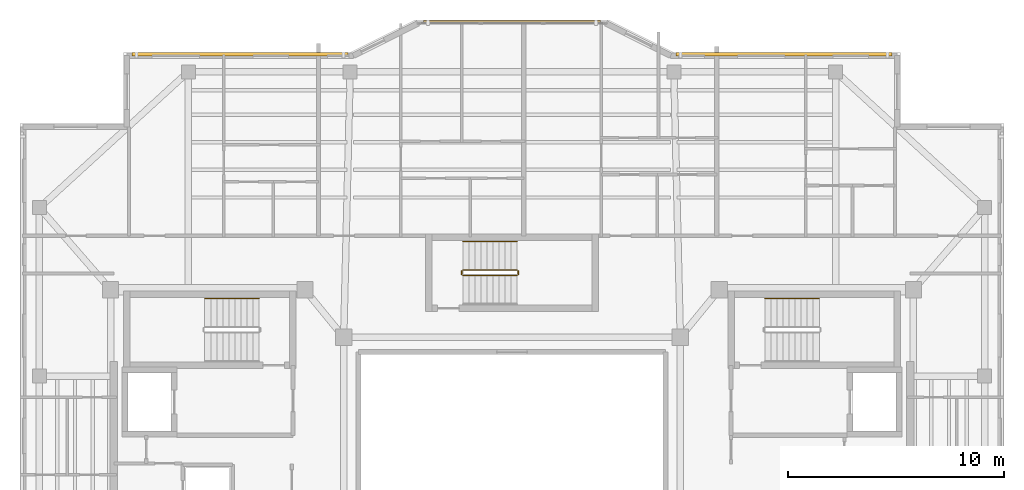
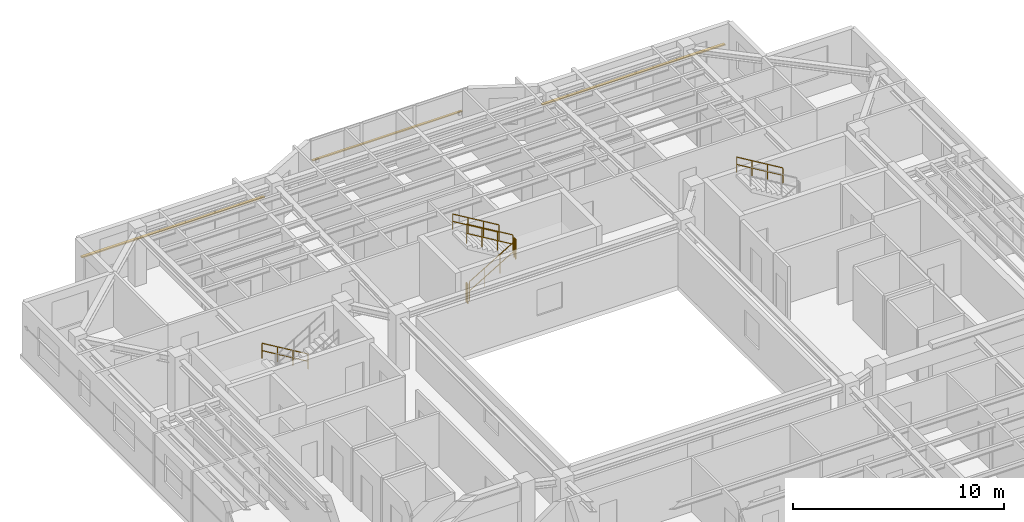
# One storey, part 15 of 15: 7 railings, 3 shading devices.
"""IFC4 building model written with IfcOpenShell, lengths in metres."""

from ifc_helpers import new_model, si_unit, direction, frame, origin, origin_2d, place, context, subcontext, project, spatial, rectangle, circle, extrude, material, material_profile, profile_set, type_object, element, save


model = new_model("IFC4")

# Units and contexts
model_context = context("Model", 3, precision=1e-05, world=origin(), true_north=direction((0.0, 1.0)))
body_context = subcontext(model_context, "Body", "Model", "MODEL_VIEW")
ifc_project = project(units=[si_unit("LENGTHUNIT", "METRE"), si_unit("AREAUNIT", "SQUARE_METRE"), si_unit("VOLUMEUNIT", "CUBIC_METRE"), si_unit("PLANEANGLEUNIT", "RADIAN"), si_unit("MASSUNIT", "GRAM", prefix="KILO")], contexts=[model_context])

# Site, building, storey
site_placement = place(None, origin())
site = spatial("IfcSite", under=ifc_project, at=site_placement, CompositionType="ELEMENT")
building_placement = place(site_placement, origin())
building = spatial("IfcBuilding", under=site, at=building_placement, Name="Tarnavaz Court Tower", CompositionType="ELEMENT")
storey_placement = place(building_placement, frame((0.0, 0.0, 244.85009765625)))
storey = spatial("IfcBuildingStorey", under=building, at=storey_placement, Name="L66", CompositionType="ELEMENT", Elevation=244.85009765625)

# Railings
ifc_material_1 = material(Name="Brushed Stainless Steel", Category="steel")
railing_type_1 = type_object("IfcRailingType", Name="RL-HANDRAIL-900", PredefinedType="HANDRAIL", material=ifc_material_1)
railing_1_placement = place(storey_placement, frame((-11.719970703125, 9.590087890625, 0.16748046875)))
element("IfcRailing", 1, at=railing_1_placement, inside=storey, type_object=railing_type_1, Name="L66 ST-W1 stair handrail 1", PredefinedType="HANDRAIL", context=body_context, shape_type="SweptSolid", body=[
    extrude(circle(Radius=0.02392578125, at=origin_2d()), frame((0.0, 0.0, 0.8759765625), z_axis=(-0.858196387827, 0.0, 0.513321497621), x_axis=(0.0, -1.0, 0.0)), (0.0, 0.0, 1.0), 2.9365234375),
    extrude(circle(Radius=0.02392578125, at=origin_2d()), frame((0.0, 0.0, 0.449951171875), z_axis=(-0.858196387827, 0.0, 0.513321497621), x_axis=(0.0, -1.0, 0.0)), (0.0, 0.0, 1.0), 2.9365234375),
    extrude(circle(Radius=0.02099609375, at=origin_2d()), origin(), (0.0, 0.0, 1.0), 0.851806640625),
    extrude(circle(Radius=0.02099609375, at=origin_2d()), frame((-0.840087890625, 0.0, 0.50244140625)), (0.0, 0.0, 1.0), 0.851806640625),
    extrude(circle(Radius=0.02099609375, at=origin_2d()), frame((-1.679931640625, 0.0, 1.0048828125)), (0.0, 0.0, 1.0), 0.851806640625),
    extrude(circle(Radius=0.02099609375, at=origin_2d()), frame((-2.52001953125, 0.0, 1.50732421875)), (0.0, 0.0, 1.0), 0.851806640625),
])
for number, where, name in (
    (2, (14.239990234375, 9.590087890625, 1.84228515625), "L66 ST-E1 stair handrail 2"),
    (3, (0.239990234375, 12.239990234375, 1.84228515625), "L66 ST-N1 stair handrail 2"),
):
    element("IfcRailing", number, at=place(storey_placement, frame(where)), inside=storey, type_object=railing_type_1, Name=name, PredefinedType="HANDRAIL", context=body_context, shape_type="SweptSolid", body=[
        extrude(circle(Radius=0.02392578125, at=origin_2d()), frame((0.0, 0.0, 0.8759765625), z_axis=(-0.858159760407, 0.0, 0.513382728203), x_axis=(0.0, -1.0, 0.0)), (0.0, 0.0, 1.0), 2.9365234375),
        extrude(circle(Radius=0.02392578125, at=origin_2d()), frame((0.0, 0.0, 0.449951171875), z_axis=(-0.858159760407, 0.0, 0.513382728203), x_axis=(0.0, -1.0, 0.0)), (0.0, 0.0, 1.0), 2.9365234375),
        extrude(circle(Radius=0.02099609375, at=origin_2d()), origin(), (0.0, 0.0, 1.0), 0.851806640625),
        extrude(circle(Radius=0.02099609375, at=origin_2d()), frame((-0.840087890625, 0.0, 0.50244140625)), (0.0, 0.0, 1.0), 0.851806640625),
        extrude(circle(Radius=0.02099609375, at=origin_2d()), frame((-1.679931640625, 0.0, 1.005126953125)), (0.0, 0.0, 1.0), 0.851806640625),
        extrude(circle(Radius=0.02099609375, at=origin_2d()), frame((-2.52001953125, 0.0, 1.507568359375)), (0.0, 0.0, 1.0), 0.851806640625),
    ])
ifc_material_2 = material(Name="Galvanized Painted Tubular Steel", Category="steel")
railing_type_2 = type_object("IfcRailingType", Name="RL-STGUARD-1120", PredefinedType="GUARDRAIL", material=ifc_material_2)
railing_2_placement = place(storey_placement, frame((-2.280029296875, 10.669921875, 0.16748046875)))
element("IfcRailing", 4, at=railing_2_placement, inside=storey, type_object=railing_type_2, Name="L66 ST-N1 stair guard 1", PredefinedType="GUARDRAIL", context=body_context, shape_type="SweptSolid", body=[
    extrude(circle(Radius=0.02392578125, at=origin_2d()), frame((0.0, 0.0, 1.09619140625), z_axis=(0.858196387827, 0.0, 0.513321497621), x_axis=(0.0, 1.0, 0.0)), (0.0, 0.0, 1.0), 2.9365234375),
    extrude(circle(Radius=0.02392578125, at=origin_2d()), frame((0.0, 0.0, 0.56005859375), z_axis=(0.858196387827, 0.0, 0.513321497621), x_axis=(0.0, 1.0, 0.0)), (0.0, 0.0, 1.0), 2.9365234375),
    extrude(circle(Radius=0.02099609375, at=origin_2d()), origin(), (0.0, 0.0, 1.0), 1.072021484375),
    extrude(circle(Radius=0.02099609375, at=origin_2d()), frame((0.840087890625, 0.0, 0.50244140625)), (0.0, 0.0, 1.0), 1.072021484375),
    extrude(circle(Radius=0.02099609375, at=origin_2d()), frame((1.679931640625, 0.0, 1.0048828125)), (0.0, 0.0, 1.0), 1.072021484375),
    extrude(circle(Radius=0.02099609375, at=origin_2d()), frame((2.52001953125, 0.0, 1.50732421875)), (0.0, 0.0, 1.0), 1.072021484375),
])
railing_3_placement = place(storey_placement, frame((0.2900390625, 10.719970703125, 1.6748046875)))
element("IfcRailing", 5, at=railing_3_placement, inside=storey, type_object=railing_type_2, Name="L66 ST-N1 stair guard 2", PredefinedType="GUARDRAIL", context=body_context, shape_type="SweptSolid", body=[
    extrude(circle(Radius=0.02392578125, at=origin_2d()), frame((0.0, 0.0, 1.09619140625), z_axis=(0.0, 1.0, 0.0), x_axis=(-1.0, 0.0, 0.0)), (0.0, 0.0, 1.0), 0.150146484375),
    extrude(circle(Radius=0.02392578125, at=origin_2d()), frame((0.0, 0.0, 0.56005859375), z_axis=(0.0, 1.0, 0.0), x_axis=(-1.0, 0.0, 0.0)), (0.0, 0.0, 1.0), 0.150146484375),
    extrude(circle(Radius=0.02099609375, at=origin_2d()), origin(), (0.0, 0.0, 1.0), 1.072021484375),
    extrude(circle(Radius=0.02099609375, at=origin_2d()), frame((0.0, 0.150146484375, 0.0)), (0.0, 0.0, 1.0), 1.072021484375),
])
railing_4_placement = place(storey_placement, frame((0.239990234375, 10.919921875, 1.84228515625)))
element("IfcRailing", 6, at=railing_4_placement, inside=storey, type_object=railing_type_2, Name="L66 ST-N1 stair guard 3", PredefinedType="GUARDRAIL", context=body_context, shape_type="SweptSolid", body=[
    extrude(circle(Radius=0.02392578125, at=origin_2d()), frame((0.0, 0.0, 1.09619140625), z_axis=(-0.858159760407, 0.0, 0.513382728203), x_axis=(0.0, -1.0, 0.0)), (0.0, 0.0, 1.0), 2.9365234375),
    extrude(circle(Radius=0.02392578125, at=origin_2d()), frame((0.0, 0.0, 0.56005859375), z_axis=(-0.858159760407, 0.0, 0.513382728203), x_axis=(0.0, -1.0, 0.0)), (0.0, 0.0, 1.0), 2.9365234375),
    extrude(circle(Radius=0.02099609375, at=origin_2d()), origin(), (0.0, 0.0, 1.0), 1.072021484375),
    extrude(circle(Radius=0.02099609375, at=origin_2d()), frame((-0.840087890625, 0.0, 0.50244140625)), (0.0, 0.0, 1.0), 1.072021484375),
    extrude(circle(Radius=0.02099609375, at=origin_2d()), frame((-1.679931640625, 0.0, 1.005126953125)), (0.0, 0.0, 1.0), 1.072021484375),
    extrude(circle(Radius=0.02099609375, at=origin_2d()), frame((-2.52001953125, 0.0, 1.507568359375)), (0.0, 0.0, 1.0), 1.072021484375),
])
railing_5_placement = place(storey_placement, frame((-2.330078125, 10.719970703125, 0.0)))
element("IfcRailing", 7, at=railing_5_placement, inside=storey, type_object=railing_type_2, Name="L66 ST-N1 stair guard 4", PredefinedType="GUARDRAIL", context=body_context, shape_type="SweptSolid", body=[
    extrude(circle(Radius=0.02392578125, at=origin_2d()), frame((0.0, 0.0, 1.09619140625), z_axis=(0.0, 1.0, 0.0), x_axis=(-1.0, 0.0, 0.0)), (0.0, 0.0, 1.0), 0.150146484375),
    extrude(circle(Radius=0.02392578125, at=origin_2d()), frame((0.0, 0.0, 0.56005859375), z_axis=(0.0, 1.0, 0.0), x_axis=(-1.0, 0.0, 0.0)), (0.0, 0.0, 1.0), 0.150146484375),
    extrude(circle(Radius=0.02099609375, at=origin_2d()), origin(), (0.0, 0.0, 1.0), 1.072021484375),
    extrude(circle(Radius=0.02099609375, at=origin_2d()), frame((0.0, 0.150146484375, 0.0)), (0.0, 0.0, 1.0), 1.072021484375),
])

# Shading devices
ifc_material_3 = material(Name="Kiln-Fired Khorasan Terracotta Ceramic", Category="masonry")
ifc_material_profile_1 = material_profile(ifc_material_3, rectangle(XDim=0.1201171875, YDim=0.06005859375, at=origin_2d()), Name="TC BAGUETTE 120X60")
ifc_profile_set_1 = profile_set([ifc_material_profile_1], Name="Kiln-Fired Khorasan Terracotta Ceramic")
shading_device_type_1 = type_object("IfcShadingDeviceType", Name="SD-BAG-120", PredefinedType="USERDEFINED", material=ifc_profile_set_1)
shading_device_placement = place(storey_placement, frame((-4.10009765625, 22.409912109375, 1.7998046875), z_axis=(1.0, 0.0, 0.0), x_axis=(0.0, 1.0, 0.0)))
element("IfcShadingDevice", 8, at=shading_device_placement, inside=storey, type_object=shading_device_type_1, Name="L66 Terracotta Baguette Screen PBG7", ObjectType="BAGUETTE", PredefinedType="USERDEFINED", context=body_context, shape_type="SweptSolid", body=[
    extrude(rectangle(XDim=0.1201171875, YDim=0.06005859375, at=origin_2d()), origin(), (0.0, 0.0, 1.0), 8.2001953125),
])
ifc_material_profile_2 = material_profile(ifc_material_3, rectangle(XDim=0.14990234375, YDim=0.06494140625, at=origin_2d()), Name="TC BAGUETTE 150X65")
ifc_profile_set_2 = profile_set([ifc_material_profile_2], Name="Kiln-Fired Khorasan Terracotta Ceramic")
shading_device_type_2 = type_object("IfcShadingDeviceType", Name="SD-BAG-150", PredefinedType="USERDEFINED", material=ifc_profile_set_2)
for number, where, z_axis, x_axis, name in (
    (9, (-17.60009765625, 20.909912109375, 1.849853515625), (1.0, 0.0, 0.0), (0.0, 1.0, 0.0), "L66 Terracotta Baguette Screen FBG05"),
    (10, (7.60009765625, 20.909912109375, 1.849853515625), (1.0, 0.0, 0.0), (0.0, 1.0, 0.0), "L66 Terracotta Baguette Screen FBG09"),
):
    element("IfcShadingDevice", number, at=place(storey_placement, frame(where, z_axis=z_axis, x_axis=x_axis)), inside=storey, type_object=shading_device_type_2, Name=name, ObjectType="BAGUETTE", PredefinedType="USERDEFINED", context=body_context, shape_type="SweptSolid", body=[
        extrude(rectangle(XDim=0.14990234375, YDim=0.06494140625, at=origin_2d()), origin(), (0.0, 0.0, 1.0), 10.0),
    ])

save(model, "model.ifc")
